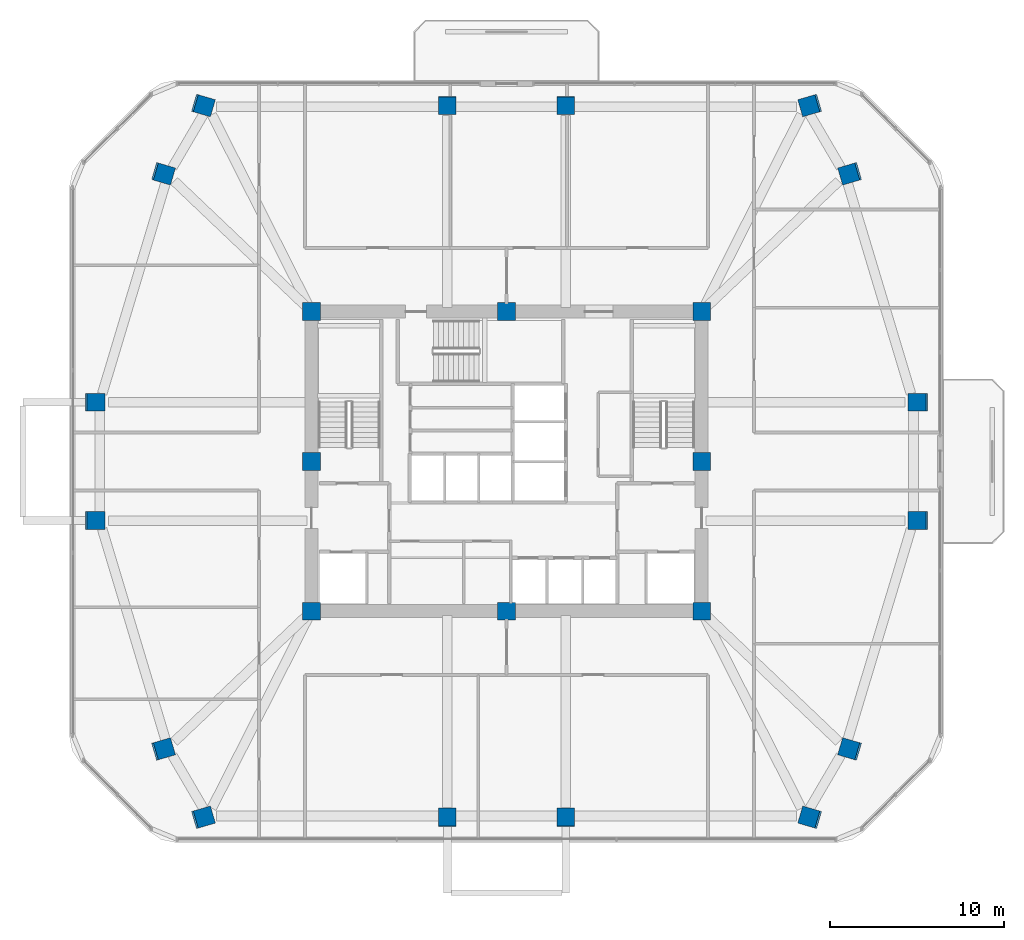
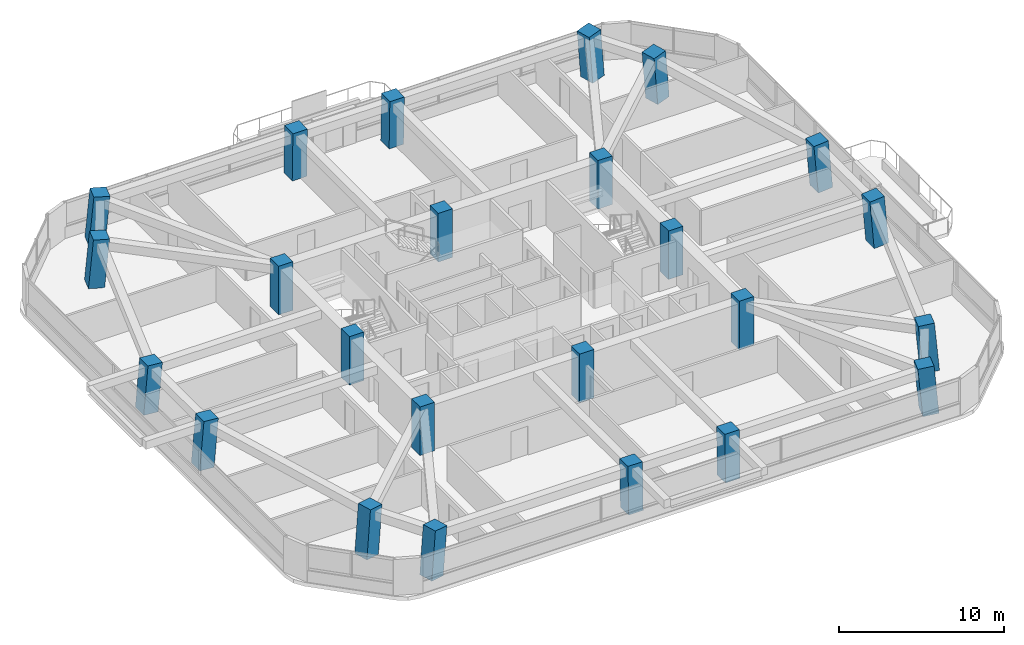
# One storey, part 1 of 13: 24 columns.
"""IFC4 building model written with IfcOpenShell, lengths in metres."""

from ifc_helpers import new_model, si_unit, derived_unit, direction, frame, origin, origin_2d, place, context, subcontext, project, spatial, rectangle, extrude, material, material_profile, profile_set, type_object, element, save


model = new_model("IFC4")

# Units and contexts
model_context = context("Model", 3, precision=1e-05, world=origin(), true_north=direction((0.0, 1.0)))
body_context = subcontext(model_context, "Body", "Model", "MODEL_VIEW")
ifc_project = project(units=[si_unit("LENGTHUNIT", "METRE"), si_unit("AREAUNIT", "SQUARE_METRE"), si_unit("VOLUMEUNIT", "CUBIC_METRE"), si_unit("PLANEANGLEUNIT", "RADIAN"), si_unit("MASSUNIT", "GRAM", prefix="KILO"), derived_unit("THERMALTRANSMITTANCEUNIT", [(si_unit("POWERUNIT", "WATT"), 1), (si_unit("LENGTHUNIT", "METRE"), -2), (si_unit("THERMODYNAMICTEMPERATUREUNIT", "KELVIN"), -1)])], contexts=[model_context])

# Site, building, storey
site_placement = place(None, origin())
site = spatial("IfcSite", under=ifc_project, at=site_placement, CompositionType="ELEMENT")
building_placement = place(site_placement, origin())
building = spatial("IfcBuilding", under=site, at=building_placement, Name="Koralith Skygarden Medical Center", CompositionType="ELEMENT")
storey_placement = place(building_placement, frame((0.0, 0.0, 109.97998046875)))
storey = spatial("IfcBuildingStorey", under=building, at=storey_placement, Name="L28", CompositionType="ELEMENT", Elevation=109.97998046875)

# Columns
ifc_material = material(Name="Concrete C70/85", Category="concrete")
ifc_material_profile_1 = material_profile(ifc_material, rectangle(XDim=1.02001953125, YDim=1.02001953125, at=origin_2d()), Name="RC1020X1020")
ifc_profile_set_1 = profile_set([ifc_material_profile_1], Name="Concrete C70/85")
column_type_1 = type_object("IfcColumnType", Name="Core Mega-Column C70 RC1020", PredefinedType="COLUMN", material=ifc_profile_set_1)
for number, where, z_axis, x_axis, name in (
    (1, (25.800048828125, 17.300048828125, 0.0), (0.0, 0.0, 1.0), (1.0, 0.0, 0.0), "L28 Core Column CC-01"),
    (2, (37.0, 17.300048828125, 0.0), (0.0, 0.0, 1.0), (1.0, 0.0, 0.0), "L28 Core Column CC-02"),
    (3, (48.199951171875, 17.300048828125, 0.0), (0.0, 0.0, 1.0), (1.0, 0.0, 0.0), "L28 Core Column CC-03"),
    (4, (48.199951171875, 25.89990234375, 0.0), (0.0, 0.0, 1.0), (1.0, 0.0, 0.0), "L28 Core Column CC-04"),
    (5, (48.199951171875, 34.5, 0.0), (0.0, 0.0, 1.0), (1.0, 0.0, 0.0), "L28 Core Column CC-05"),
    (6, (37.0, 34.5, 0.0), (0.0, 0.0, 1.0), (1.0, 0.0, 0.0), "L28 Core Column CC-06"),
    (7, (25.800048828125, 34.5, 0.0), (0.0, 0.0, 1.0), (1.0, 0.0, 0.0), "L28 Core Column CC-07"),
    (8, (25.800048828125, 25.89990234375, 0.0), (0.0, 0.0, 1.0), (1.0, 0.0, 0.0), "L28 Core Column CC-08"),
):
    element("IfcColumn", number, at=place(storey_placement, frame(where, z_axis=z_axis, x_axis=x_axis)), inside=storey, type_object=column_type_1, Name=name, PredefinedType="COLUMN", context=body_context, shape_type="SweptSolid", body=[
        extrude(rectangle(XDim=1.02001953125, YDim=1.02001953125, at=origin_2d()), origin(), (0.0, 0.0, 1.0), 3.60009765625),
    ])
ifc_material_profile_2 = material_profile(ifc_material, rectangle(XDim=1.02001953125, YDim=1.02001953125, at=origin_2d()), Name="RC1020X1020")
ifc_profile_set_2 = profile_set([ifc_material_profile_2], Name="Concrete C70/85")
column_type_2 = type_object("IfcColumnType", Name="Zone 2 Waist-In Mega-Column C70 RC1020", PredefinedType="COLUMN", material=ifc_profile_set_2)
column_1_placement = place(storey_placement, frame((13.333984375, 22.5, 0.02099609375), z_axis=(0.084573087246, 0.0, 0.99641727851), x_axis=(0.0, 1.0, 0.0)))
element("IfcColumn", 9, at=column_1_placement, inside=storey, type_object=column_type_2, Name="L28 Perimeter Mega-Column MC-01", PredefinedType="COLUMN", context=body_context, shape_type="SweptSolid", body=[
    extrude(rectangle(XDim=1.02001953125, YDim=1.02001953125, at=origin_2d()), origin(), (0.0, 0.0, 1.0), 3.57080078125),
])
for number, where, z_axis, x_axis, name in (
    (10, (17.25390625, 9.37109375, 0.02099609375), (0.084546909741, 0.024878799633, 0.996108862214), (-0.282292283154, 0.959328445774, 0.0), "L28 Perimeter Mega-Column MC-02"),
    (11, (19.5458984375, 5.450927734375, 0.02099609375), (0.084547339264, 0.024673879931, 0.996113922738), (-0.280148995539, 0.959956530421, 0.0), "L28 Perimeter Mega-Column MC-03"),
):
    element("IfcColumn", number, at=place(storey_placement, frame(where, z_axis=z_axis, x_axis=x_axis)), inside=storey, type_object=column_type_2, Name=name, PredefinedType="COLUMN", context=body_context, shape_type="SweptSolid", body=[
        extrude(rectangle(XDim=1.02001953125, YDim=1.02001953125, at=origin_2d()), origin(), (0.0, 0.0, 1.0), 3.572021484375),
    ])
for number, where, z_axis, x_axis, name in (
    (12, (33.60009765625, 5.450927734375, 0.02099609375), (0.0, 0.024762543118, 0.999693361215), (-1.0, 0.0, 0.0), "L28 Perimeter Mega-Column MC-04"),
    (13, (40.39990234375, 5.450927734375, 0.02099609375), (0.0, 0.024762543118, 0.999693361215), (-1.0, 0.0, 0.0), "L28 Perimeter Mega-Column MC-05"),
):
    element("IfcColumn", number, at=place(storey_placement, frame(where, z_axis=z_axis, x_axis=x_axis)), inside=storey, type_object=column_type_2, Name=name, PredefinedType="COLUMN", context=body_context, shape_type="SweptSolid", body=[
        extrude(rectangle(XDim=1.02001953125, YDim=1.02001953125, at=origin_2d()), origin(), (0.0, 0.0, 1.0), 3.55908203125),
    ])
for number, where, z_axis, x_axis, name in (
    (14, (54.4541015625, 5.450927734375, 0.02099609375), (-0.084547339264, 0.024673879931, 0.996113922738), (-0.280148995539, -0.959956530421, 0.0), "L28 Perimeter Mega-Column MC-06"),
    (15, (56.74609375, 9.37109375, 0.02099609375), (-0.084546909741, 0.024878799633, 0.996108862214), (-0.282292283154, -0.959328445774, 0.0), "L28 Perimeter Mega-Column MC-07"),
):
    element("IfcColumn", number, at=place(storey_placement, frame(where, z_axis=z_axis, x_axis=x_axis)), inside=storey, type_object=column_type_2, Name=name, PredefinedType="COLUMN", context=body_context, shape_type="SweptSolid", body=[
        extrude(rectangle(XDim=1.02001953125, YDim=1.02001953125, at=origin_2d()), origin(), (0.0, 0.0, 1.0), 3.572021484375),
    ])
for number, where, z_axis, x_axis, name in (
    (16, (60.666015625, 22.5, 0.02099609375), (-0.084573087246, 0.0, 0.99641727851), (0.0, -1.0, 0.0), "L28 Perimeter Mega-Column MC-08"),
    (17, (60.666015625, 29.300048828125, 0.02099609375), (-0.084573087246, 0.0, 0.99641727851), (0.0, -1.0, 0.0), "L28 Perimeter Mega-Column MC-09"),
):
    element("IfcColumn", number, at=place(storey_placement, frame(where, z_axis=z_axis, x_axis=x_axis)), inside=storey, type_object=column_type_2, Name=name, PredefinedType="COLUMN", context=body_context, shape_type="SweptSolid", body=[
        extrude(rectangle(XDim=1.02001953125, YDim=1.02001953125, at=origin_2d()), origin(), (0.0, 0.0, 1.0), 3.57080078125),
    ])
for number, where, z_axis, x_axis, name in (
    (18, (56.74609375, 42.428955078125, 0.02099609375), (-0.084546909741, -0.024878799633, 0.996108862214), (0.282292283154, -0.959328445774, 0.0), "L28 Perimeter Mega-Column MC-10"),
    (19, (54.4541015625, 46.34912109375, 0.02099609375), (-0.084547339264, -0.024673879931, 0.996113922738), (0.280148995539, -0.959956530421, 0.0), "L28 Perimeter Mega-Column MC-11"),
):
    element("IfcColumn", number, at=place(storey_placement, frame(where, z_axis=z_axis, x_axis=x_axis)), inside=storey, type_object=column_type_2, Name=name, PredefinedType="COLUMN", context=body_context, shape_type="SweptSolid", body=[
        extrude(rectangle(XDim=1.02001953125, YDim=1.02001953125, at=origin_2d()), origin(), (0.0, 0.0, 1.0), 3.572021484375),
    ])
for number, where, z_axis, x_axis, name in (
    (20, (40.39990234375, 46.34912109375, 0.02099609375), (0.0, -0.024762543118, 0.999693361215), (1.0, 0.0, 0.0), "L28 Perimeter Mega-Column MC-12"),
    (21, (33.60009765625, 46.34912109375, 0.02099609375), (0.0, -0.024762543118, 0.999693361215), (1.0, 0.0, 0.0), "L28 Perimeter Mega-Column MC-13"),
):
    element("IfcColumn", number, at=place(storey_placement, frame(where, z_axis=z_axis, x_axis=x_axis)), inside=storey, type_object=column_type_2, Name=name, PredefinedType="COLUMN", context=body_context, shape_type="SweptSolid", body=[
        extrude(rectangle(XDim=1.02001953125, YDim=1.02001953125, at=origin_2d()), origin(), (0.0, 0.0, 1.0), 3.55908203125),
    ])
for number, where, z_axis, x_axis, name in (
    (22, (19.5458984375, 46.34912109375, 0.02099609375), (0.084547339264, -0.024673879931, 0.996113922738), (0.280148995539, 0.959956530421, 0.0), "L28 Perimeter Mega-Column MC-14"),
    (23, (17.25390625, 42.428955078125, 0.02099609375), (0.084546909741, -0.024878799633, 0.996108862214), (0.282292283154, 0.959328445774, 0.0), "L28 Perimeter Mega-Column MC-15"),
):
    element("IfcColumn", number, at=place(storey_placement, frame(where, z_axis=z_axis, x_axis=x_axis)), inside=storey, type_object=column_type_2, Name=name, PredefinedType="COLUMN", context=body_context, shape_type="SweptSolid", body=[
        extrude(rectangle(XDim=1.02001953125, YDim=1.02001953125, at=origin_2d()), origin(), (0.0, 0.0, 1.0), 3.572021484375),
    ])
column_2_placement = place(storey_placement, frame((13.333984375, 29.300048828125, 0.02099609375), z_axis=(0.084573087246, 0.0, 0.99641727851), x_axis=(0.0, 1.0, 0.0)))
element("IfcColumn", 24, at=column_2_placement, inside=storey, type_object=column_type_2, Name="L28 Perimeter Mega-Column MC-16", PredefinedType="COLUMN", context=body_context, shape_type="SweptSolid", body=[
    extrude(rectangle(XDim=1.02001953125, YDim=1.02001953125, at=origin_2d()), origin(), (0.0, 0.0, 1.0), 3.57080078125),
])

save(model, "model.ifc")
